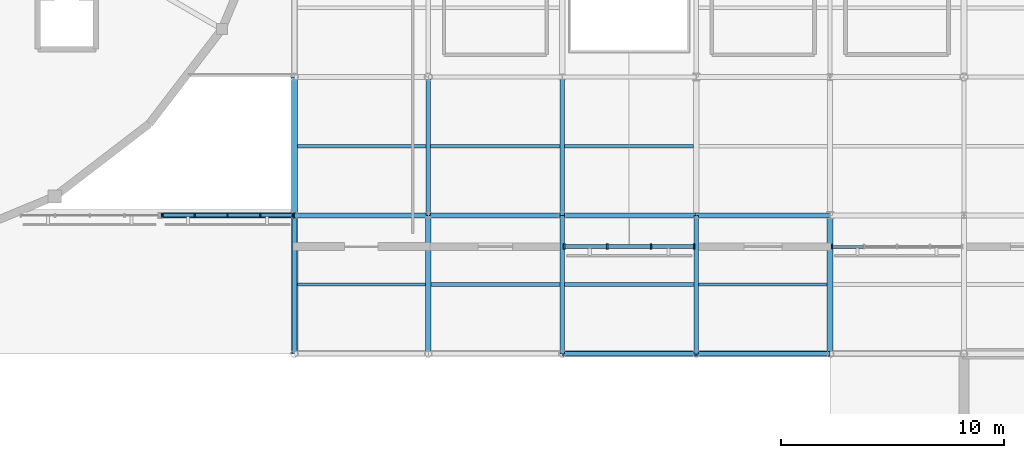
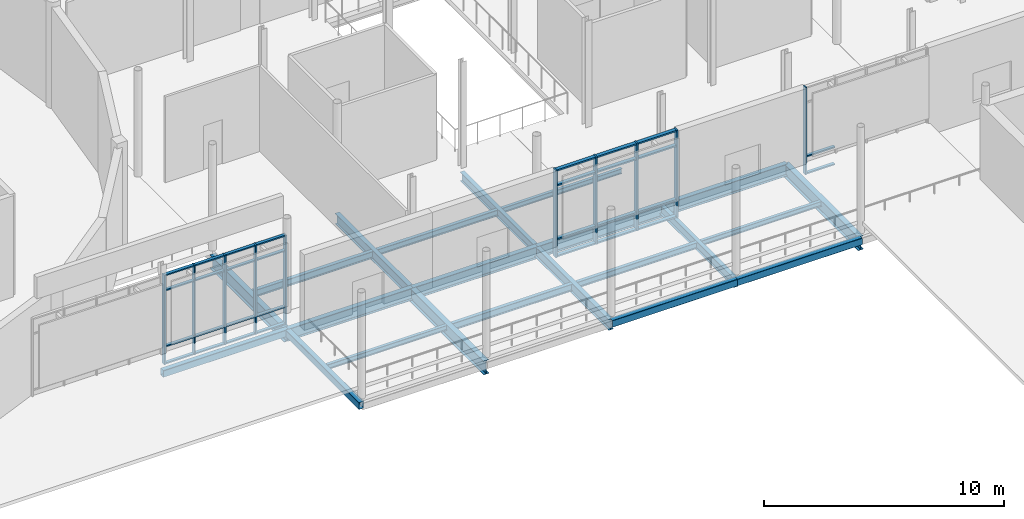
# One storey, part 31 of 105: 40 members, 22 beams, 3 elements without a shape of their own.
"""IFC4 building model written with IfcOpenShell, lengths in metres."""

from ifc_helpers import new_model, si_unit, direction, frame, origin, origin_2d, place, context, subcontext, project, spatial, rectangle, hollow_rectangle, i_section, extrude, material, layer, layer_set, material_profile, profile_set, type_object, element, aggregate, save


model = new_model("IFC4")

# Units and contexts
model_context = context("Model", 3, precision=1e-05, world=origin(), true_north=direction((0.0, 1.0)))
body_context = subcontext(model_context, "Body", "Model", "MODEL_VIEW")
ifc_project = project(units=[si_unit("LENGTHUNIT", "METRE"), si_unit("AREAUNIT", "SQUARE_METRE"), si_unit("VOLUMEUNIT", "CUBIC_METRE"), si_unit("PLANEANGLEUNIT", "RADIAN"), si_unit("MASSUNIT", "GRAM", prefix="KILO")], contexts=[model_context])

# Site, building, storey
site_placement = place(None, origin())
site = spatial("IfcSite", under=ifc_project, at=site_placement, CompositionType="ELEMENT")
building_placement = place(site_placement, origin())
building = spatial("IfcBuilding", under=site, at=building_placement, Name="Mirzam Square Science Centre", CompositionType="ELEMENT")
storey_placement = place(building_placement, frame((0.0, 0.0, 5.39990234375)))
storey = spatial("IfcBuildingStorey", under=building, at=storey_placement, Name="L01", CompositionType="ELEMENT", Elevation=5.39990234375)

# Beams
ifc_material_1 = material(Name="Steel S355", Category="steel")
ifc_material_profile_1 = material_profile(ifc_material_1, i_section(OverallWidth=0.19140625, OverallDepth=0.4599609375, WebThickness=0.010009765625, FlangeThickness=0.01611328125, FilletRadius=0.01025390625, at=origin_2d()), Name="457x191x82UB")
ifc_profile_set_1 = profile_set([ifc_material_profile_1], Name="Steel S355")
beam_type_1 = type_object("IfcBeamType", Name="BM-UB457", PredefinedType="BEAM", material=ifc_profile_set_1)
beam_1_placement = place(storey_placement, frame((114.0, 43.39990234375, -0.47998046875), z_axis=(0.0, 1.0, 0.0), x_axis=(-1.0, 0.0, 0.0)))
element("IfcBeam", 1, at=beam_1_placement, inside=storey, type_object=beam_type_1, Name="L01 girder Y20-8", PredefinedType="BEAM", context=body_context, shape_type="SweptSolid", body=[
    extrude(i_section(OverallWidth=0.19140625, OverallDepth=0.4599609375, WebThickness=0.010009765625, FlangeThickness=0.01611328125, FilletRadius=0.01025390625, at=origin_2d()), origin(), (0.0, 0.0, 1.0), 6.2001953125),
])
beam_2_placement = place(storey_placement, frame((120.0, 37.199951171875, -0.47998046875), z_axis=(0.0, 1.0, 0.0), x_axis=(-1.0, 0.0, 0.0)))
element("IfcBeam", 2, at=beam_2_placement, inside=storey, type_object=beam_type_1, Name="L01 girder Y21-7", PredefinedType="BEAM", context=body_context, shape_type="SweptSolid", body=[
    extrude(i_section(OverallWidth=0.19140625, OverallDepth=0.4599609375, WebThickness=0.010009765625, FlangeThickness=0.01611328125, FilletRadius=0.01025390625, at=origin_2d()), origin(), (0.0, 0.0, 1.0), 6.199951171875),
])
ifc_material_profile_2 = material_profile(ifc_material_1, i_section(OverallWidth=0.2099609375, OverallDepth=0.53662109375, WebThickness=0.0107421875, FlangeThickness=0.017333984375, FilletRadius=0.0126953125, at=origin_2d()), Name="533x210x101UB")
ifc_profile_set_2 = profile_set([ifc_material_profile_2], Name="Steel S355")
beam_type_2 = type_object("IfcBeamType", Name="BM-UB533", PredefinedType="BEAM", material=ifc_profile_set_2)
beam_3_placement = place(storey_placement, frame((108.0, 43.39990234375, -0.518310546875), z_axis=(0.0, 1.0, 0.0), x_axis=(-1.0, 0.0, 0.0)))
element("IfcBeam", 3, at=beam_3_placement, inside=storey, type_object=beam_type_2, Name="L01 girder Y19-8", PredefinedType="BEAM", context=body_context, shape_type="SweptSolid", body=[
    extrude(i_section(OverallWidth=0.2099609375, OverallDepth=0.53662109375, WebThickness=0.0107421875, FlangeThickness=0.017333984375, FilletRadius=0.0126953125, at=origin_2d()), origin(), (0.0, 0.0, 1.0), 6.2001953125),
])
beam_4_placement = place(storey_placement, frame((114.0, 37.199951171875, -0.518310546875), z_axis=(0.0, 1.0, 0.0), x_axis=(-1.0, 0.0, 0.0)))
element("IfcBeam", 4, at=beam_4_placement, inside=storey, type_object=beam_type_2, Name="L01 girder Y20-7", PredefinedType="BEAM", context=body_context, shape_type="SweptSolid", body=[
    extrude(i_section(OverallWidth=0.2099609375, OverallDepth=0.53662109375, WebThickness=0.0107421875, FlangeThickness=0.017333984375, FilletRadius=0.0126953125, at=origin_2d()), origin(), (0.0, 0.0, 1.0), 6.199951171875),
])
ifc_material_profile_3 = material_profile(ifc_material_1, i_section(OverallWidth=0.22900390625, OverallDepth=0.6123046875, WebThickness=0.011962890625, FlangeThickness=0.01953125, FilletRadius=0.0126953125, at=origin_2d()), Name="610x229x125UB")
ifc_profile_set_3 = profile_set([ifc_material_profile_3], Name="Steel S355")
beam_type_3 = type_object("IfcBeamType", Name="BM-UB610", PredefinedType="BEAM", material=ifc_profile_set_3)
for number, where, z_axis, x_axis, name in (
    (5, (102.0, 43.39990234375, -0.555908203125), (1.0, 0.0, 0.0), (0.0, 1.0, 0.0), "L01 girder X18-8"),
    (6, (108.0, 43.39990234375, -0.555908203125), (1.0, 0.0, 0.0), (0.0, 1.0, 0.0), "L01 girder X19-8"),
    (7, (114.0, 43.39990234375, -0.555908203125), (1.0, 0.0, 0.0), (0.0, 1.0, 0.0), "L01 girder X20-8"),
    (8, (120.0, 43.39990234375, -0.555908203125), (1.0, 0.0, 0.0), (0.0, 1.0, 0.0), "L01 girder X21-8"),
):
    element("IfcBeam", number, at=place(storey_placement, frame(where, z_axis=z_axis, x_axis=x_axis)), inside=storey, type_object=beam_type_3, Name=name, PredefinedType="BEAM", context=body_context, shape_type="SweptSolid", body=[
        extrude(i_section(OverallWidth=0.22900390625, OverallDepth=0.6123046875, WebThickness=0.011962890625, FlangeThickness=0.01953125, FilletRadius=0.0126953125, at=origin_2d()), origin(), (0.0, 0.0, 1.0), 6.0),
    ])
ifc_material_profile_4 = material_profile(ifc_material_1, i_section(OverallWidth=0.25439453125, OverallDepth=0.6875, WebThickness=0.01318359375, FlangeThickness=0.02099609375, FilletRadius=0.01513671875, at=origin_2d()), Name="686x254x152UB")
ifc_profile_set_4 = profile_set([ifc_material_profile_4], Name="Steel S355")
beam_type_4 = type_object("IfcBeamType", Name="BM-UB686", PredefinedType="BEAM", material=ifc_profile_set_4)
beam_5_placement = place(storey_placement, frame((102.0, 43.39990234375, -0.593505859375), z_axis=(0.0, 1.0, 0.0), x_axis=(-1.0, 0.0, 0.0)))
element("IfcBeam", 9, at=beam_5_placement, inside=storey, type_object=beam_type_4, Name="L01 girder Y18-8", PredefinedType="BEAM", context=body_context, shape_type="SweptSolid", body=[
    extrude(i_section(OverallWidth=0.25439453125, OverallDepth=0.6875, WebThickness=0.01318359375, FlangeThickness=0.02099609375, FilletRadius=0.01513671875, at=origin_2d()), origin(), (0.0, 0.0, 1.0), 6.2001953125),
])
for number, where, z_axis, x_axis, name in (
    (10, (108.0, 37.199951171875, -0.593505859375), (0.0, 1.0, 0.0), (-1.0, 0.0, 0.0), "L01 girder Y19-7"),
    (11, (126.0, 37.199951171875, -0.593505859375), (0.0, 1.0, 0.0), (-1.0, 0.0, 0.0), "L01 girder Y22-7"),
):
    element("IfcBeam", number, at=place(storey_placement, frame(where, z_axis=z_axis, x_axis=x_axis)), inside=storey, type_object=beam_type_4, Name=name, PredefinedType="BEAM", context=body_context, shape_type="SweptSolid", body=[
        extrude(i_section(OverallWidth=0.25439453125, OverallDepth=0.6875, WebThickness=0.01318359375, FlangeThickness=0.02099609375, FilletRadius=0.01513671875, at=origin_2d()), origin(), (0.0, 0.0, 1.0), 6.199951171875),
    ])

# Curtain wall, members
ifc_material_2 = material(Name="Anodised Aluminium and Low-E Solar Glass", Category="aluminium")
ifc_layer_1 = layer(ifc_material_2, 0.159912109375)
ifc_layer_set_1 = layer_set([ifc_layer_1], Name="CW-COURT-B")
curtain_wall_type_1 = type_object("IfcCurtainWallType", Name="CW-COURT-B", PredefinedType="USERDEFINED", material=ifc_layer_set_1)
curtain_wall_1_placement = place(storey_placement, origin())
curtain_wall_1 = element("IfcCurtainWall", 12, at=curtain_wall_1_placement, inside=storey, type_object=curtain_wall_type_1, Name="L01 unitised curtain wall 57", ObjectType="UNITISED CURTAIN WALL", PredefinedType="USERDEFINED")
ifc_material_3 = material(Name="Anodised Architectural Aluminium 6063-T6", Category="aluminium")
ifc_material_profile_5 = material_profile(ifc_material_3, rectangle(XDim=0.06494140625, YDim=0.199951171875, at=origin_2d()), Name="ALU-MULL-200x65x5")
ifc_profile_set_5 = profile_set([ifc_material_profile_5], Name="Anodised Architectural Aluminium 6063-T6")
member_type_1 = type_object("IfcMemberType", Name="CWM-200", PredefinedType="MULLION", material=ifc_profile_set_5)
member_1_placement = place(storey_placement, frame((96.08740234375, 43.39990234375, 0.0), z_axis=(0.0, 0.0, 1.0), x_axis=(1.0, 0.0, 0.0)))
member_1 = element("IfcMember", 13, at=member_1_placement, type_object=member_type_1, Name="CW-04 mullion 1", PredefinedType="MULLION", context=body_context, shape_type="SweptSolid", body=[
    extrude(rectangle(XDim=0.06494140625, YDim=0.199951171875, at=origin_2d()), origin(), (0.0, 0.0, 1.0), 4.550048828125),
])
member_2_placement = place(storey_placement, frame((97.527587890625, 43.39990234375, 0.0), z_axis=(0.0, 0.0, 1.0), x_axis=(1.0, 0.0, 0.0)))
member_2 = element("IfcMember", 14, at=member_2_placement, type_object=member_type_1, Name="CW-04 mullion 2", PredefinedType="MULLION", context=body_context, shape_type="SweptSolid", body=[
    extrude(rectangle(XDim=0.06494140625, YDim=0.199951171875, at=origin_2d()), origin(), (0.0, 0.0, 1.0), 4.550048828125),
])
member_3_placement = place(storey_placement, frame((99.0, 43.39990234375, 0.0), z_axis=(0.0, 0.0, 1.0), x_axis=(1.0, 0.0, 0.0)))
member_3 = element("IfcMember", 15, at=member_3_placement, type_object=member_type_1, Name="CW-04 mullion 3", PredefinedType="MULLION", context=body_context, shape_type="SweptSolid", body=[
    extrude(rectangle(XDim=0.06494140625, YDim=0.199951171875, at=origin_2d()), origin(), (0.0, 0.0, 1.0), 4.550048828125),
])
member_4_placement = place(storey_placement, frame((100.472412109375, 43.39990234375, 0.0), z_axis=(0.0, 0.0, 1.0), x_axis=(1.0, 0.0, 0.0)))
member_4 = element("IfcMember", 16, at=member_4_placement, type_object=member_type_1, Name="CW-04 mullion 4", PredefinedType="MULLION", context=body_context, shape_type="SweptSolid", body=[
    extrude(rectangle(XDim=0.06494140625, YDim=0.199951171875, at=origin_2d()), origin(), (0.0, 0.0, 1.0), 4.550048828125),
])
member_5_placement = place(storey_placement, frame((101.91259765625, 43.39990234375, 0.0), z_axis=(0.0, 0.0, 1.0), x_axis=(1.0, 0.0, 0.0)))
member_5 = element("IfcMember", 17, at=member_5_placement, type_object=member_type_1, Name="CW-04 mullion 5", PredefinedType="MULLION", context=body_context, shape_type="SweptSolid", body=[
    extrude(rectangle(XDim=0.06494140625, YDim=0.199951171875, at=origin_2d()), origin(), (0.0, 0.0, 1.0), 4.550048828125),
])

# Curtain wall, member
ifc_layer_2 = layer(ifc_material_2, 0.179931640625)
ifc_layer_set_2 = layer_set([ifc_layer_2], Name="CW-LINK-A")
curtain_wall_type_2 = type_object("IfcCurtainWallType", Name="CW-LINK-A", PredefinedType="USERDEFINED", material=ifc_layer_set_2)
curtain_wall_2_placement = place(storey_placement, origin())
curtain_wall_2 = element("IfcCurtainWall", 18, at=curtain_wall_2_placement, inside=storey, type_object=curtain_wall_type_2, Name="L01 unitised curtain wall 82", ObjectType="UNITISED CURTAIN WALL", PredefinedType="USERDEFINED")
member_6_placement = place(storey_placement, frame((126.08740234375, 42.0, 0.0), z_axis=(0.0, 0.0, 1.0), x_axis=(1.0, 0.0, 0.0)))
member_6 = element("IfcMember", 19, at=member_6_placement, type_object=member_type_1, Name="CW-08 mullion 1", PredefinedType="MULLION", context=body_context, shape_type="SweptSolid", body=[
    extrude(rectangle(XDim=0.06494140625, YDim=0.199951171875, at=origin_2d()), origin(), (0.0, 0.0, 1.0), 4.440185546875),
])

# Curtain wall, members
ifc_layer_3 = layer(ifc_material_2, 0.239990234375)
ifc_layer_set_3 = layer_set([ifc_layer_3], Name="CW-EAST-B")
curtain_wall_type_3 = type_object("IfcCurtainWallType", Name="CW-EAST-B", PredefinedType="USERDEFINED", material=ifc_layer_set_3)
curtain_wall_3_placement = place(storey_placement, origin())
curtain_wall_3 = element("IfcCurtainWall", 20, at=curtain_wall_3_placement, inside=storey, type_object=curtain_wall_type_3, Name="L01 unitised curtain wall 81", ObjectType="UNITISED CURTAIN WALL", PredefinedType="USERDEFINED")
ifc_material_profile_6 = material_profile(ifc_material_3, rectangle(XDim=0.074951171875, YDim=0.239990234375, at=origin_2d()), Name="ALU-MULL-240x75x5")
ifc_profile_set_6 = profile_set([ifc_material_profile_6], Name="Anodised Architectural Aluminium 6063-T6")
member_type_2 = type_object("IfcMemberType", Name="CWM-240", PredefinedType="MULLION", material=ifc_profile_set_6)
member_7_placement = place(storey_placement, frame((114.092529296875, 42.0, 0.0), z_axis=(0.0, 0.0, 1.0), x_axis=(1.0, 0.0, 0.0)))
member_7 = element("IfcMember", 21, at=member_7_placement, type_object=member_type_2, Name="CW-06 mullion 1", PredefinedType="MULLION", context=body_context, shape_type="SweptSolid", body=[
    extrude(rectangle(XDim=0.074951171875, YDim=0.239990234375, at=origin_2d()), origin(), (0.0, 0.0, 1.0), 4.440185546875),
])
member_8_placement = place(storey_placement, frame((116.018310546875, 42.0, 0.0), z_axis=(0.0, 0.0, 1.0), x_axis=(1.0, 0.0, 0.0)))
member_8 = element("IfcMember", 22, at=member_8_placement, type_object=member_type_2, Name="CW-06 mullion 2", PredefinedType="MULLION", context=body_context, shape_type="SweptSolid", body=[
    extrude(rectangle(XDim=0.074951171875, YDim=0.239990234375, at=origin_2d()), origin(), (0.0, 0.0, 1.0), 4.440185546875),
])
member_9_placement = place(storey_placement, frame((117.981689453125, 42.0, 0.0), z_axis=(0.0, 0.0, 1.0), x_axis=(1.0, 0.0, 0.0)))
member_9 = element("IfcMember", 23, at=member_9_placement, type_object=member_type_2, Name="CW-06 mullion 3", PredefinedType="MULLION", context=body_context, shape_type="SweptSolid", body=[
    extrude(rectangle(XDim=0.074951171875, YDim=0.239990234375, at=origin_2d()), origin(), (0.0, 0.0, 1.0), 4.440185546875),
])
member_10_placement = place(storey_placement, frame((119.907470703125, 42.0, 0.0), z_axis=(0.0, 0.0, 1.0), x_axis=(1.0, 0.0, 0.0)))
member_10 = element("IfcMember", 24, at=member_10_placement, type_object=member_type_2, Name="CW-06 mullion 4", PredefinedType="MULLION", context=body_context, shape_type="SweptSolid", body=[
    extrude(rectangle(XDim=0.074951171875, YDim=0.239990234375, at=origin_2d()), origin(), (0.0, 0.0, 1.0), 4.440185546875),
])

# Member
ifc_material_profile_7 = material_profile(ifc_material_3, rectangle(XDim=0.14990234375, YDim=0.06494140625, at=origin_2d()), Name="ALU-TRAN-150x65x4")
ifc_profile_set_7 = profile_set([ifc_material_profile_7], Name="Anodised Architectural Aluminium 6063-T6")
member_type_3 = type_object("IfcMemberType", Name="CWT-150", PredefinedType="USERDEFINED", material=ifc_profile_set_7)
member_11_placement = place(storey_placement, frame((96.1201171875, 43.39990234375, 0.03271484375), z_axis=(1.0, 0.0, 0.0), x_axis=(0.0, 1.0, 0.0)))
member_11 = element("IfcMember", 25, at=member_11_placement, type_object=member_type_3, Name="CW-04 transom 1.1", ObjectType="TRANSOM", PredefinedType="USERDEFINED", context=body_context, shape_type="SweptSolid", body=[
    extrude(rectangle(XDim=0.14990234375, YDim=0.06494140625, at=origin_2d()), origin(), (0.0, 0.0, 1.0), 1.375),
])

member_12_placement = place(storey_placement, frame((96.1201171875, 43.39990234375, 0.900146484375), z_axis=(1.0, 0.0, 0.0), x_axis=(0.0, 1.0, 0.0)))
member_12 = element("IfcMember", 26, at=member_12_placement, type_object=member_type_3, Name="CW-04 transom 1.2", ObjectType="TRANSOM", PredefinedType="USERDEFINED", context=body_context, shape_type="SweptSolid", body=[
    extrude(rectangle(XDim=0.14990234375, YDim=0.06494140625, at=origin_2d()), origin(), (0.0, 0.0, 1.0), 1.375),
])

member_13_placement = place(storey_placement, frame((96.1201171875, 43.39990234375, 3.75), z_axis=(1.0, 0.0, 0.0), x_axis=(0.0, 1.0, 0.0)))
member_13 = element("IfcMember", 27, at=member_13_placement, type_object=member_type_3, Name="CW-04 transom 1.3", ObjectType="TRANSOM", PredefinedType="USERDEFINED", context=body_context, shape_type="SweptSolid", body=[
    extrude(rectangle(XDim=0.14990234375, YDim=0.06494140625, at=origin_2d()), origin(), (0.0, 0.0, 1.0), 1.375),
])

member_14_placement = place(storey_placement, frame((96.1201171875, 43.39990234375, 4.517578125), z_axis=(1.0, 0.0, 0.0), x_axis=(0.0, 1.0, 0.0)))
member_14 = element("IfcMember", 28, at=member_14_placement, type_object=member_type_3, Name="CW-04 transom 1.4", ObjectType="TRANSOM", PredefinedType="USERDEFINED", context=body_context, shape_type="SweptSolid", body=[
    extrude(rectangle(XDim=0.14990234375, YDim=0.06494140625, at=origin_2d()), origin(), (0.0, 0.0, 1.0), 1.375),
])

member_15_placement = place(storey_placement, frame((97.56005859375, 43.39990234375, 0.03271484375), z_axis=(1.0, 0.0, 0.0), x_axis=(0.0, 1.0, 0.0)))
member_15 = element("IfcMember", 29, at=member_15_placement, type_object=member_type_3, Name="CW-04 transom 2.1", ObjectType="TRANSOM", PredefinedType="USERDEFINED", context=body_context, shape_type="SweptSolid", body=[
    extrude(rectangle(XDim=0.14990234375, YDim=0.06494140625, at=origin_2d()), origin(), (0.0, 0.0, 1.0), 1.407470703125),
])

member_16_placement = place(storey_placement, frame((97.56005859375, 43.39990234375, 0.900146484375), z_axis=(1.0, 0.0, 0.0), x_axis=(0.0, 1.0, 0.0)))
member_16 = element("IfcMember", 30, at=member_16_placement, type_object=member_type_3, Name="CW-04 transom 2.2", ObjectType="TRANSOM", PredefinedType="USERDEFINED", context=body_context, shape_type="SweptSolid", body=[
    extrude(rectangle(XDim=0.14990234375, YDim=0.06494140625, at=origin_2d()), origin(), (0.0, 0.0, 1.0), 1.407470703125),
])

member_17_placement = place(storey_placement, frame((97.56005859375, 43.39990234375, 3.75), z_axis=(1.0, 0.0, 0.0), x_axis=(0.0, 1.0, 0.0)))
member_17 = element("IfcMember", 31, at=member_17_placement, type_object=member_type_3, Name="CW-04 transom 2.3", ObjectType="TRANSOM", PredefinedType="USERDEFINED", context=body_context, shape_type="SweptSolid", body=[
    extrude(rectangle(XDim=0.14990234375, YDim=0.06494140625, at=origin_2d()), origin(), (0.0, 0.0, 1.0), 1.407470703125),
])

member_18_placement = place(storey_placement, frame((97.56005859375, 43.39990234375, 4.517578125), z_axis=(1.0, 0.0, 0.0), x_axis=(0.0, 1.0, 0.0)))
member_18 = element("IfcMember", 32, at=member_18_placement, type_object=member_type_3, Name="CW-04 transom 2.4", ObjectType="TRANSOM", PredefinedType="USERDEFINED", context=body_context, shape_type="SweptSolid", body=[
    extrude(rectangle(XDim=0.14990234375, YDim=0.06494140625, at=origin_2d()), origin(), (0.0, 0.0, 1.0), 1.407470703125),
])

member_19_placement = place(storey_placement, frame((99.032470703125, 43.39990234375, 0.03271484375), z_axis=(1.0, 0.0, 0.0), x_axis=(0.0, 1.0, 0.0)))
member_19 = element("IfcMember", 33, at=member_19_placement, type_object=member_type_3, Name="CW-04 transom 3.1", ObjectType="TRANSOM", PredefinedType="USERDEFINED", context=body_context, shape_type="SweptSolid", body=[
    extrude(rectangle(XDim=0.14990234375, YDim=0.06494140625, at=origin_2d()), origin(), (0.0, 0.0, 1.0), 1.407470703125),
])

member_20_placement = place(storey_placement, frame((99.032470703125, 43.39990234375, 0.900146484375), z_axis=(1.0, 0.0, 0.0), x_axis=(0.0, 1.0, 0.0)))
member_20 = element("IfcMember", 34, at=member_20_placement, type_object=member_type_3, Name="CW-04 transom 3.2", ObjectType="TRANSOM", PredefinedType="USERDEFINED", context=body_context, shape_type="SweptSolid", body=[
    extrude(rectangle(XDim=0.14990234375, YDim=0.06494140625, at=origin_2d()), origin(), (0.0, 0.0, 1.0), 1.407470703125),
])

member_21_placement = place(storey_placement, frame((99.032470703125, 43.39990234375, 3.75), z_axis=(1.0, 0.0, 0.0), x_axis=(0.0, 1.0, 0.0)))
member_21 = element("IfcMember", 35, at=member_21_placement, type_object=member_type_3, Name="CW-04 transom 3.3", ObjectType="TRANSOM", PredefinedType="USERDEFINED", context=body_context, shape_type="SweptSolid", body=[
    extrude(rectangle(XDim=0.14990234375, YDim=0.06494140625, at=origin_2d()), origin(), (0.0, 0.0, 1.0), 1.407470703125),
])

member_22_placement = place(storey_placement, frame((99.032470703125, 43.39990234375, 4.517578125), z_axis=(1.0, 0.0, 0.0), x_axis=(0.0, 1.0, 0.0)))
member_22 = element("IfcMember", 36, at=member_22_placement, type_object=member_type_3, Name="CW-04 transom 3.4", ObjectType="TRANSOM", PredefinedType="USERDEFINED", context=body_context, shape_type="SweptSolid", body=[
    extrude(rectangle(XDim=0.14990234375, YDim=0.06494140625, at=origin_2d()), origin(), (0.0, 0.0, 1.0), 1.407470703125),
])

member_23_placement = place(storey_placement, frame((100.5048828125, 43.39990234375, 0.03271484375), z_axis=(1.0, 0.0, 0.0), x_axis=(0.0, 1.0, 0.0)))
member_23 = element("IfcMember", 37, at=member_23_placement, type_object=member_type_3, Name="CW-04 transom 4.1", ObjectType="TRANSOM", PredefinedType="USERDEFINED", context=body_context, shape_type="SweptSolid", body=[
    extrude(rectangle(XDim=0.14990234375, YDim=0.06494140625, at=origin_2d()), origin(), (0.0, 0.0, 1.0), 1.375),
])

member_24_placement = place(storey_placement, frame((100.5048828125, 43.39990234375, 0.900146484375), z_axis=(1.0, 0.0, 0.0), x_axis=(0.0, 1.0, 0.0)))
member_24 = element("IfcMember", 38, at=member_24_placement, type_object=member_type_3, Name="CW-04 transom 4.2", ObjectType="TRANSOM", PredefinedType="USERDEFINED", context=body_context, shape_type="SweptSolid", body=[
    extrude(rectangle(XDim=0.14990234375, YDim=0.06494140625, at=origin_2d()), origin(), (0.0, 0.0, 1.0), 1.375),
])

member_25_placement = place(storey_placement, frame((100.5048828125, 43.39990234375, 3.75), z_axis=(1.0, 0.0, 0.0), x_axis=(0.0, 1.0, 0.0)))
member_25 = element("IfcMember", 39, at=member_25_placement, type_object=member_type_3, Name="CW-04 transom 4.3", ObjectType="TRANSOM", PredefinedType="USERDEFINED", context=body_context, shape_type="SweptSolid", body=[
    extrude(rectangle(XDim=0.14990234375, YDim=0.06494140625, at=origin_2d()), origin(), (0.0, 0.0, 1.0), 1.375),
])

member_26_placement = place(storey_placement, frame((100.5048828125, 43.39990234375, 4.517578125), z_axis=(1.0, 0.0, 0.0), x_axis=(0.0, 1.0, 0.0)))
member_26 = element("IfcMember", 40, at=member_26_placement, type_object=member_type_3, Name="CW-04 transom 4.4", ObjectType="TRANSOM", PredefinedType="USERDEFINED", context=body_context, shape_type="SweptSolid", body=[
    extrude(rectangle(XDim=0.14990234375, YDim=0.06494140625, at=origin_2d()), origin(), (0.0, 0.0, 1.0), 1.375),
])

aggregate(curtain_wall_1, [member_1, member_2, member_3, member_4, member_5, member_11, member_12, member_13, member_14, member_15, member_16, member_17, member_18, member_19, member_20, member_21, member_22, member_23, member_24, member_25, member_26])

member_27_placement = place(storey_placement, frame((126.1201171875, 42.0, 0.03271484375), z_axis=(1.0, 0.0, 0.0), x_axis=(0.0, 1.0, 0.0)))
member_27 = element("IfcMember", 41, at=member_27_placement, type_object=member_type_3, Name="CW-08 transom 1.1", ObjectType="TRANSOM", PredefinedType="USERDEFINED", context=body_context, shape_type="SweptSolid", body=[
    extrude(rectangle(XDim=0.14990234375, YDim=0.06494140625, at=origin_2d()), origin(), (0.0, 0.0, 1.0), 1.375),
])

member_28_placement = place(storey_placement, frame((126.1201171875, 42.0, 0.900146484375), z_axis=(1.0, 0.0, 0.0), x_axis=(0.0, 1.0, 0.0)))
member_28 = element("IfcMember", 42, at=member_28_placement, type_object=member_type_3, Name="CW-08 transom 1.2", ObjectType="TRANSOM", PredefinedType="USERDEFINED", context=body_context, shape_type="SweptSolid", body=[
    extrude(rectangle(XDim=0.14990234375, YDim=0.06494140625, at=origin_2d()), origin(), (0.0, 0.0, 1.0), 1.375),
])

aggregate(curtain_wall_2, [member_6, member_27, member_28])

ifc_material_profile_8 = material_profile(ifc_material_3, rectangle(XDim=0.179931640625, YDim=0.074951171875, at=origin_2d()), Name="ALU-TRAN-180x75x5")
ifc_profile_set_8 = profile_set([ifc_material_profile_8], Name="Anodised Architectural Aluminium 6063-T6")
member_type_4 = type_object("IfcMemberType", Name="CWT-180", PredefinedType="USERDEFINED", material=ifc_profile_set_8)
member_29_placement = place(storey_placement, frame((114.1298828125, 42.0, 0.03759765625), z_axis=(1.0, 0.0, 0.0), x_axis=(0.0, 1.0, 0.0)))
member_29 = element("IfcMember", 43, at=member_29_placement, type_object=member_type_4, Name="CW-06 transom 1.1", ObjectType="TRANSOM", PredefinedType="USERDEFINED", context=body_context, shape_type="SweptSolid", body=[
    extrude(rectangle(XDim=0.179931640625, YDim=0.074951171875, at=origin_2d()), origin(), (0.0, 0.0, 1.0), 1.850830078125),
])

member_30_placement = place(storey_placement, frame((114.1298828125, 42.0, 0.900146484375), z_axis=(1.0, 0.0, 0.0), x_axis=(0.0, 1.0, 0.0)))
member_30 = element("IfcMember", 44, at=member_30_placement, type_object=member_type_4, Name="CW-06 transom 1.2", ObjectType="TRANSOM", PredefinedType="USERDEFINED", context=body_context, shape_type="SweptSolid", body=[
    extrude(rectangle(XDim=0.179931640625, YDim=0.074951171875, at=origin_2d()), origin(), (0.0, 0.0, 1.0), 1.850830078125),
])

member_31_placement = place(storey_placement, frame((114.1298828125, 42.0, 3.64013671875), z_axis=(1.0, 0.0, 0.0), x_axis=(0.0, 1.0, 0.0)))
member_31 = element("IfcMember", 45, at=member_31_placement, type_object=member_type_4, Name="CW-06 transom 1.3", ObjectType="TRANSOM", PredefinedType="USERDEFINED", context=body_context, shape_type="SweptSolid", body=[
    extrude(rectangle(XDim=0.179931640625, YDim=0.074951171875, at=origin_2d()), origin(), (0.0, 0.0, 1.0), 1.850830078125),
])

member_32_placement = place(storey_placement, frame((114.1298828125, 42.0, 4.402587890625), z_axis=(1.0, 0.0, 0.0), x_axis=(0.0, 1.0, 0.0)))
member_32 = element("IfcMember", 46, at=member_32_placement, type_object=member_type_4, Name="CW-06 transom 1.4", ObjectType="TRANSOM", PredefinedType="USERDEFINED", context=body_context, shape_type="SweptSolid", body=[
    extrude(rectangle(XDim=0.179931640625, YDim=0.074951171875, at=origin_2d()), origin(), (0.0, 0.0, 1.0), 1.850830078125),
])

member_33_placement = place(storey_placement, frame((116.055908203125, 42.0, 0.03759765625), z_axis=(1.0, 0.0, 0.0), x_axis=(0.0, 1.0, 0.0)))
member_33 = element("IfcMember", 47, at=member_33_placement, type_object=member_type_4, Name="CW-06 transom 2.1", ObjectType="TRANSOM", PredefinedType="USERDEFINED", context=body_context, shape_type="SweptSolid", body=[
    extrude(rectangle(XDim=0.179931640625, YDim=0.074951171875, at=origin_2d()), origin(), (0.0, 0.0, 1.0), 1.88818359375),
])

member_34_placement = place(storey_placement, frame((116.055908203125, 42.0, 0.900146484375), z_axis=(1.0, 0.0, 0.0), x_axis=(0.0, 1.0, 0.0)))
member_34 = element("IfcMember", 48, at=member_34_placement, type_object=member_type_4, Name="CW-06 transom 2.2", ObjectType="TRANSOM", PredefinedType="USERDEFINED", context=body_context, shape_type="SweptSolid", body=[
    extrude(rectangle(XDim=0.179931640625, YDim=0.074951171875, at=origin_2d()), origin(), (0.0, 0.0, 1.0), 1.88818359375),
])

member_35_placement = place(storey_placement, frame((116.055908203125, 42.0, 3.64013671875), z_axis=(1.0, 0.0, 0.0), x_axis=(0.0, 1.0, 0.0)))
member_35 = element("IfcMember", 49, at=member_35_placement, type_object=member_type_4, Name="CW-06 transom 2.3", ObjectType="TRANSOM", PredefinedType="USERDEFINED", context=body_context, shape_type="SweptSolid", body=[
    extrude(rectangle(XDim=0.179931640625, YDim=0.074951171875, at=origin_2d()), origin(), (0.0, 0.0, 1.0), 1.88818359375),
])

member_36_placement = place(storey_placement, frame((116.055908203125, 42.0, 4.402587890625), z_axis=(1.0, 0.0, 0.0), x_axis=(0.0, 1.0, 0.0)))
member_36 = element("IfcMember", 50, at=member_36_placement, type_object=member_type_4, Name="CW-06 transom 2.4", ObjectType="TRANSOM", PredefinedType="USERDEFINED", context=body_context, shape_type="SweptSolid", body=[
    extrude(rectangle(XDim=0.179931640625, YDim=0.074951171875, at=origin_2d()), origin(), (0.0, 0.0, 1.0), 1.88818359375),
])

member_37_placement = place(storey_placement, frame((118.019287109375, 42.0, 0.03759765625), z_axis=(1.0, 0.0, 0.0), x_axis=(0.0, 1.0, 0.0)))
member_37 = element("IfcMember", 51, at=member_37_placement, type_object=member_type_4, Name="CW-06 transom 3.1", ObjectType="TRANSOM", PredefinedType="USERDEFINED", context=body_context, shape_type="SweptSolid", body=[
    extrude(rectangle(XDim=0.179931640625, YDim=0.074951171875, at=origin_2d()), origin(), (0.0, 0.0, 1.0), 1.850830078125),
])

member_38_placement = place(storey_placement, frame((118.019287109375, 42.0, 0.900146484375), z_axis=(1.0, 0.0, 0.0), x_axis=(0.0, 1.0, 0.0)))
member_38 = element("IfcMember", 52, at=member_38_placement, type_object=member_type_4, Name="CW-06 transom 3.2", ObjectType="TRANSOM", PredefinedType="USERDEFINED", context=body_context, shape_type="SweptSolid", body=[
    extrude(rectangle(XDim=0.179931640625, YDim=0.074951171875, at=origin_2d()), origin(), (0.0, 0.0, 1.0), 1.850830078125),
])

member_39_placement = place(storey_placement, frame((118.019287109375, 42.0, 3.64013671875), z_axis=(1.0, 0.0, 0.0), x_axis=(0.0, 1.0, 0.0)))
member_39 = element("IfcMember", 53, at=member_39_placement, type_object=member_type_4, Name="CW-06 transom 3.3", ObjectType="TRANSOM", PredefinedType="USERDEFINED", context=body_context, shape_type="SweptSolid", body=[
    extrude(rectangle(XDim=0.179931640625, YDim=0.074951171875, at=origin_2d()), origin(), (0.0, 0.0, 1.0), 1.850830078125),
])

member_40_placement = place(storey_placement, frame((118.019287109375, 42.0, 4.402587890625), z_axis=(1.0, 0.0, 0.0), x_axis=(0.0, 1.0, 0.0)))
member_40 = element("IfcMember", 54, at=member_40_placement, type_object=member_type_4, Name="CW-06 transom 3.4", ObjectType="TRANSOM", PredefinedType="USERDEFINED", context=body_context, shape_type="SweptSolid", body=[
    extrude(rectangle(XDim=0.179931640625, YDim=0.074951171875, at=origin_2d()), origin(), (0.0, 0.0, 1.0), 1.850830078125),
])

aggregate(curtain_wall_3, [member_7, member_8, member_9, member_10, member_29, member_30, member_31, member_32, member_33, member_34, member_35, member_36, member_37, member_38, member_39, member_40])

# Beams
ifc_material_profile_9 = material_profile(ifc_material_1, i_section(OverallWidth=0.146484375, OverallDepth=0.256103515625, WebThickness=0.00634765625, FlangeThickness=0.010986328125, FilletRadius=0.007568359375, at=origin_2d()), Name="254x146x37UB")
ifc_profile_set_9 = profile_set([ifc_material_profile_9], Name="Steel S355")
beam_type_5 = type_object("IfcBeamType", Name="JS-UB254", PredefinedType="JOIST", material=ifc_profile_set_9)
beam_6_placement = place(storey_placement, frame((102.125, 40.300048828125, -0.3779296875), z_axis=(1.0, 0.0, 0.0), x_axis=(0.0, 1.0, 0.0)))
element("IfcBeam", 55, at=beam_6_placement, inside=storey, type_object=beam_type_5, Name="L01 composite joist 18-7", PredefinedType="JOIST", context=body_context, shape_type="SweptSolid", body=[
    extrude(i_section(OverallWidth=0.146484375, OverallDepth=0.256103515625, WebThickness=0.00634765625, FlangeThickness=0.010986328125, FilletRadius=0.007568359375, at=origin_2d()), origin(), (0.0, 0.0, 1.0), 5.747802734375),
])
for number, where, z_axis, x_axis, name in (
    (56, (114.095703125, 46.5, -0.3779296875), (1.0, 0.0, 0.0), (0.0, 1.0, 0.0), "L01 composite joist 20-8"),
    (57, (120.095703125, 40.300048828125, -0.3779296875), (1.0, 0.0, 0.0), (0.0, 1.0, 0.0), "L01 composite joist 21-7"),
):
    element("IfcBeam", number, at=place(storey_placement, frame(where, z_axis=z_axis, x_axis=x_axis)), inside=storey, type_object=beam_type_5, Name=name, PredefinedType="JOIST", context=body_context, shape_type="SweptSolid", body=[
        extrude(i_section(OverallWidth=0.146484375, OverallDepth=0.256103515625, WebThickness=0.00634765625, FlangeThickness=0.010986328125, FilletRadius=0.007568359375, at=origin_2d()), origin(), (0.0, 0.0, 1.0), 5.777099609375),
    ])
ifc_material_profile_10 = material_profile(ifc_material_1, i_section(OverallWidth=0.165771484375, OverallDepth=0.306640625, WebThickness=0.006591796875, FlangeThickness=0.01171875, FilletRadius=0.0087890625, at=origin_2d()), Name="305x165x46UB")
ifc_profile_set_10 = profile_set([ifc_material_profile_10], Name="Steel S355")
beam_type_6 = type_object("IfcBeamType", Name="JS-UB305", PredefinedType="JOIST", material=ifc_profile_set_10)
for number, where, z_axis, x_axis, name in (
    (58, (108.10498046875, 46.5, -0.4033203125), (1.0, 0.0, 0.0), (0.0, 1.0, 0.0), "L01 composite joist 19-8"),
    (59, (114.10498046875, 40.300048828125, -0.4033203125), (1.0, 0.0, 0.0), (0.0, 1.0, 0.0), "L01 composite joist 20-7"),
):
    element("IfcBeam", number, at=place(storey_placement, frame(where, z_axis=z_axis, x_axis=x_axis)), inside=storey, type_object=beam_type_6, Name=name, PredefinedType="JOIST", context=body_context, shape_type="SweptSolid", body=[
        extrude(i_section(OverallWidth=0.165771484375, OverallDepth=0.306640625, WebThickness=0.006591796875, FlangeThickness=0.01171875, FilletRadius=0.0087890625, at=origin_2d()), origin(), (0.0, 0.0, 1.0), 5.79931640625),
    ])
ifc_material_profile_11 = material_profile(ifc_material_1, i_section(OverallWidth=0.172119140625, OverallDepth=0.35791015625, WebThickness=0.008056640625, FlangeThickness=0.012939453125, FilletRadius=0.01025390625, at=origin_2d()), Name="356x171x57UB")
ifc_profile_set_11 = profile_set([ifc_material_profile_11], Name="Steel S355")
beam_type_7 = type_object("IfcBeamType", Name="JS-UB356", PredefinedType="JOIST", material=ifc_profile_set_11)
for number, where, z_axis, x_axis, name in (
    (60, (102.127197265625, 46.5, -0.428955078125), (1.0, 0.0, 0.0), (0.0, 1.0, 0.0), "L01 composite joist 18-8"),
    (61, (108.127197265625, 40.300048828125, -0.428955078125), (1.0, 0.0, 0.0), (0.0, 1.0, 0.0), "L01 composite joist 19-7"),
):
    element("IfcBeam", number, at=place(storey_placement, frame(where, z_axis=z_axis, x_axis=x_axis)), inside=storey, type_object=beam_type_7, Name=name, PredefinedType="JOIST", context=body_context, shape_type="SweptSolid", body=[
        extrude(i_section(OverallWidth=0.172119140625, OverallDepth=0.35791015625, WebThickness=0.008056640625, FlangeThickness=0.012939453125, FilletRadius=0.01025390625, at=origin_2d()), origin(), (0.0, 0.0, 1.0), 5.767822265625),
    ])
ifc_material_profile_12 = material_profile(ifc_material_1, hollow_rectangle(XDim=0.25, YDim=0.35009765625, WallThickness=0.012451171875, InnerFilletRadius=0.012451171875, OuterFilletRadius=0.02490234375, at=origin_2d()), Name="350x250x12.5RHS")
ifc_profile_set_12 = profile_set([ifc_material_profile_12], Name="Steel S355")
beam_type_8 = type_object("IfcBeamType", Name="SP-RHS350", PredefinedType="SPANDREL", material=ifc_profile_set_12)
for number, where, z_axis, x_axis, name in (
    (62, (114.0, 37.199951171875, -0.4248046875), (1.0, 0.0, 0.0), (0.0, 1.0, 0.0), "L01 girder X20-7"),
    (63, (120.0, 37.199951171875, -0.4248046875), (1.0, 0.0, 0.0), (0.0, 1.0, 0.0), "L01 girder X21-7"),
    (64, (96.0, 43.39990234375, -0.4248046875), (1.0, 0.0, 0.0), (0.0, 1.0, 0.0), "L01 girder X17-8"),
):
    element("IfcBeam", number, at=place(storey_placement, frame(where, z_axis=z_axis, x_axis=x_axis)), inside=storey, type_object=beam_type_8, Name=name, PredefinedType="SPANDREL", context=body_context, shape_type="SweptSolid", body=[
        extrude(hollow_rectangle(XDim=0.25, YDim=0.35009765625, WallThickness=0.012451171875, InnerFilletRadius=0.012451171875, OuterFilletRadius=0.02490234375, at=origin_2d()), origin(), (0.0, 0.0, 1.0), 6.0),
    ])
beam_7_placement = place(storey_placement, frame((102.0, 37.199951171875, -0.4248046875), z_axis=(0.0, 1.0, 0.0), x_axis=(-1.0, 0.0, 0.0)))
element("IfcBeam", 65, at=beam_7_placement, inside=storey, type_object=beam_type_8, Name="L01 girder Y18-7", PredefinedType="SPANDREL", context=body_context, shape_type="SweptSolid", body=[
    extrude(hollow_rectangle(XDim=0.25, YDim=0.35009765625, WallThickness=0.012451171875, InnerFilletRadius=0.012451171875, OuterFilletRadius=0.02490234375, at=origin_2d()), origin(), (0.0, 0.0, 1.0), 6.199951171875),
])

save(model, "model.ifc")
